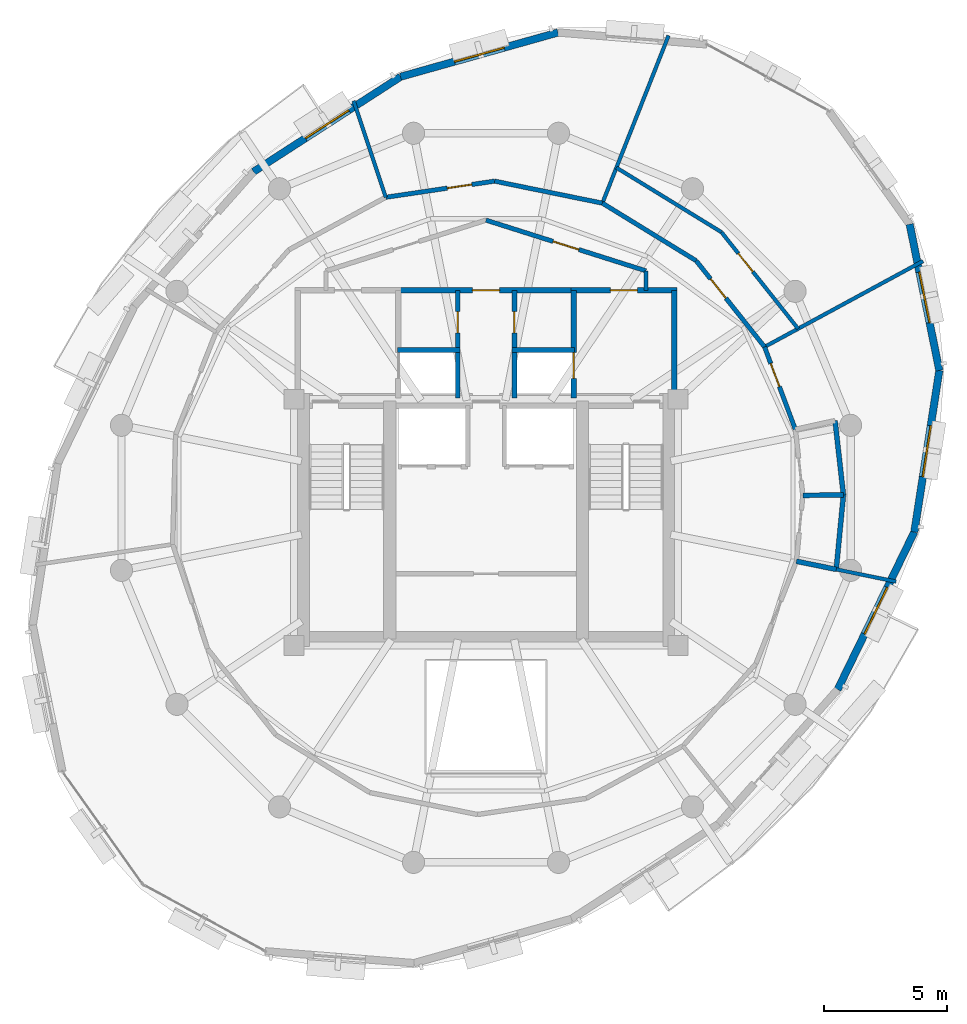
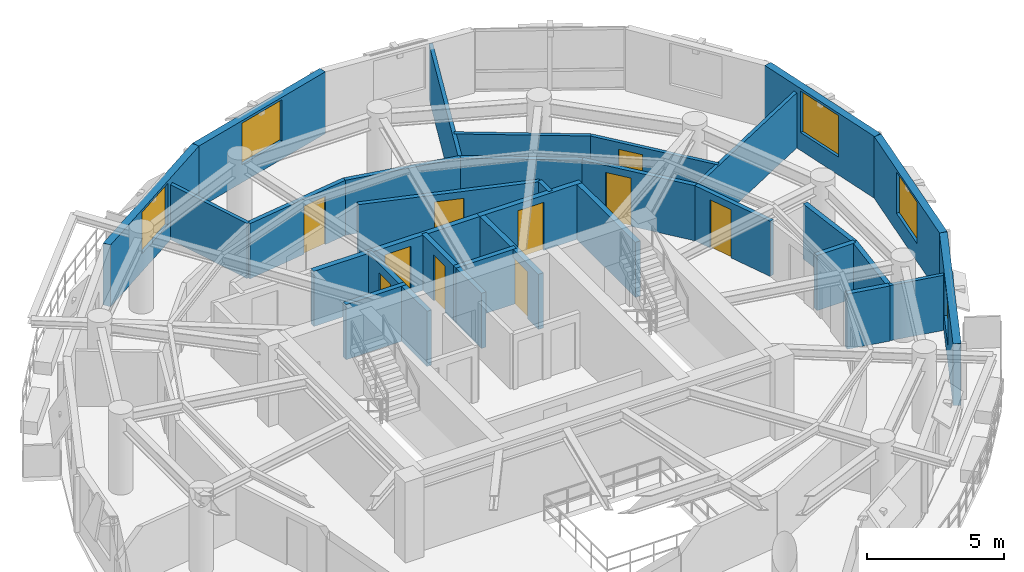
# One storey, part 8 of 11: 30 walls, 10 doors, 5 windows, 15 openings.
"""IFC4 building model written with IfcOpenShell, lengths in metres."""

from ifc_helpers import new_model, si_unit, direction, frame, frame_2d, origin, place, context, subcontext, project, spatial, rectangle, extrude, material, layer, layer_set, type_object, element, fill, save


model = new_model("IFC4")

# Units and contexts
model_context = context("Model", 3, precision=1e-05, world=origin(), true_north=direction((0.0, 1.0)))
body_context = subcontext(model_context, "Body", "Model", "MODEL_VIEW")
ifc_project = project(units=[si_unit("LENGTHUNIT", "METRE"), si_unit("AREAUNIT", "SQUARE_METRE"), si_unit("VOLUMEUNIT", "CUBIC_METRE"), si_unit("PLANEANGLEUNIT", "RADIAN"), si_unit("MASSUNIT", "GRAM", prefix="KILO"), si_unit("THERMODYNAMICTEMPERATUREUNIT", "KELVIN"), si_unit("POWERUNIT", "WATT")], contexts=[model_context])

# Site, building, storey
site_placement = place(None, origin())
site = spatial("IfcSite", under=ifc_project, at=site_placement, CompositionType="ELEMENT")
building_placement = place(site_placement, origin())
building = spatial("IfcBuilding", under=site, at=building_placement, Name="Ocrelia Relay Tower", CompositionType="ELEMENT")
storey_placement = place(building_placement, frame((0.0, 0.0, 234.0)))
storey = spatial("IfcBuildingStorey", under=building, at=storey_placement, Name="L57", CompositionType="ELEMENT", Elevation=234.0)

# Wall
ifc_material_1 = material(Name="Gypsum Fireboard Partition EI60", Category="gypsum")
ifc_layer_1 = layer(ifc_material_1, 0.179931640625, Name="Gypsum Fireboard Partition EI60")
ifc_layer_set_1 = layer_set([ifc_layer_1], Name="Gypsum Fireboard Partition EI60")
wall_type_1 = type_object("IfcWallType", Name="W-CORR-EI60-180", PredefinedType="PARTITIONING", material=ifc_layer_set_1)
wall_1_placement = place(storey_placement, frame((40.5, 35.218994140625, 0.0), z_axis=(0.0, 0.0, 1.0), x_axis=(0.0, -1.0, 0.0)))
element("IfcWall", 1, at=wall_1_placement, inside=storey, type_object=wall_type_1, Name="L57 Smoke Lobby East Return", PredefinedType="PARTITIONING", context=body_context, shape_type="SweptSolid", body=[
    extrude(rectangle(XDim=0.7890625, YDim=0.179931640625, at=frame_2d((0.39453125, 0.0))), origin(), (0.0, 0.0, 1.0), 2.4599609375),
])

# Wall, opening, door
wall_2_placement = place(storey_placement, frame((34.0, 37.280029296875, 0.0), z_axis=(0.0, 0.0, 1.0), x_axis=(0.953228121756, -0.302251795518, 0.0)))
wall_2 = element("IfcWall", 2, at=wall_2_placement, inside=storey, type_object=wall_type_1, Name="L57 North Smoke Lobby E Screen Wall", PredefinedType="PARTITIONING", context=body_context, shape_type="SweptSolid", body=[
    extrude(rectangle(XDim=6.81884765625, YDim=0.179931640625, at=frame_2d((3.409423828125, 0.0))), origin(), (0.0, 0.0, 1.0), 2.4599609375),
])
opening_1_placement = place(wall_2_placement, frame((2.859619140625, 0.0, 0.0)))
opening_1 = element("IfcOpeningElement", 3, at=opening_1_placement, cuts=wall_2, Name="Opening D-FD60", PredefinedType="OPENING", context=body_context, shape_type="SweptSolid", body=[
    extrude(rectangle(XDim=1.10009765625, YDim=2.14990234375, at=frame_2d((0.550048828125, 1.074951171875))), frame((0.0, 0.10009765625, 0.0), z_axis=(0.0, -1.0, 0.0), x_axis=(1.0, 0.0, 0.0)), (0.0, 0.0, 1.0), 0.199951171875),
])
ifc_material_2 = material(Name="Timber-core 60-min acoustic fire door", Category="wood")
door_type_1 = type_object("IfcDoorType", Name="DR-LOBBY-FD60-1100", OperationType="NOTDEFINED", PredefinedType="DOOR", material=ifc_material_2)
door_1_placement = place(opening_1_placement, origin())
door_1 = element("IfcDoor", 4, at=door_1_placement, inside=storey, type_object=door_type_1, Name="L57 North Smoke Lobby E Fire Door", OperationType="SINGLE_SWING_LEFT", OverallHeight=2.14990234375, OverallWidth=1.10009765625, PredefinedType="DOOR", context=body_context, shape_type="SweptSolid", body=[
    extrude(rectangle(XDim=1.10009765625, YDim=2.14990234375, at=frame_2d((0.550048828125, 1.074951171875))), frame((0.0, 0.02490234375, 0.0), z_axis=(0.0, -1.0, 0.0), x_axis=(1.0, 0.0, 0.0)), (0.0, 0.0, 1.0), 0.050048828125),
])
fill(opening_1, door_1)

wall_3_placement = place(storey_placement, frame((46.5673828125, 28.774658203125, 0.0), z_axis=(0.0, 0.0, 1.0), x_axis=(-0.349419971737, 0.936966212492, 0.0)))
wall_3 = element("IfcWall", 5, at=wall_3_placement, inside=storey, type_object=wall_type_1, Name="L57 Executive Telecom Office A Corridor Partition 1", PredefinedType="PARTITIONING", context=body_context, shape_type="SweptSolid", body=[
    extrude(rectangle(XDim=3.582275390625, YDim=0.179931640625, at=frame_2d((1.791015625, 0.0))), origin(), (0.0, 0.0, 1.0), 2.4599609375),
])
opening_2_placement = place(wall_3_placement, frame((1.86181640625, 0.0, 0.0)))
opening_2 = element("IfcOpeningElement", 6, at=opening_2_placement, cuts=wall_3, Name="Opening D-RM100", PredefinedType="OPENING", context=body_context, shape_type="SweptSolid", body=[
    extrude(rectangle(XDim=1.0, YDim=2.14990234375, at=frame_2d((0.5, 1.074951171875))), frame((0.0, 0.10009765625, 0.0), z_axis=(0.0, -1.0, 0.0), x_axis=(1.0, 0.0, 0.0)), (0.0, 0.0, 1.0), 0.199951171875),
])
ifc_material_3 = material(Name="Acoustic oak veneer fire door", Category="wood")
door_type_2 = type_object("IfcDoorType", Name="DR-ROOM-FD60-1000", OperationType="NOTDEFINED", PredefinedType="DOOR", material=ifc_material_3)
door_2_placement = place(opening_2_placement, origin())
door_2 = element("IfcDoor", 7, at=door_2_placement, inside=storey, type_object=door_type_2, Name="L57 Executive Telecom Office A Entrance Door", OperationType="SINGLE_SWING_RIGHT", OverallHeight=2.14990234375, OverallWidth=1.0, PredefinedType="DOOR", context=body_context, shape_type="SweptSolid", body=[
    extrude(rectangle(XDim=1.0, YDim=2.14990234375, at=frame_2d((0.5, 1.074951171875))), frame((0.0, 0.02490234375, 0.0), z_axis=(0.0, -1.0, 0.0), x_axis=(1.0, 0.0, 0.0)), (0.0, 0.0, 1.0), 0.050048828125),
])
fill(opening_2, door_2)

wall_4_placement = place(storey_placement, frame((45.315673828125, 32.131103515625, 0.0), z_axis=(0.0, 0.0, 1.0), x_axis=(-0.621813175889, 0.783165611024, 0.0)))
wall_4 = element("IfcWall", 8, at=wall_4_placement, inside=storey, type_object=wall_type_1, Name="L57 Counsel Office B Corridor Partition 1", PredefinedType="PARTITIONING", context=body_context, shape_type="SweptSolid", body=[
    extrude(rectangle(XDim=4.4697265625, YDim=0.179931640625, at=frame_2d((2.23486328125, 0.0))), origin(), (0.0, 0.0, 1.0), 2.4599609375),
])
opening_3_placement = place(wall_4_placement, frame((2.527099609375, 0.0, 0.0)))
opening_3 = element("IfcOpeningElement", 9, at=opening_3_placement, cuts=wall_4, Name="Opening D-RM100", PredefinedType="OPENING", context=body_context, shape_type="SweptSolid", body=[
    extrude(rectangle(XDim=1.0, YDim=2.14990234375, at=frame_2d((0.5, 1.074951171875))), frame((0.0, 0.10009765625, 0.0), z_axis=(0.0, -1.0, 0.0), x_axis=(1.0, 0.0, 0.0)), (0.0, 0.0, 1.0), 0.199951171875),
])
door_3_placement = place(opening_3_placement, origin())
door_3 = element("IfcDoor", 10, at=door_3_placement, inside=storey, type_object=door_type_2, Name="L57 Counsel Office B Entrance Door", OperationType="SINGLE_SWING_LEFT", OverallHeight=2.14990234375, OverallWidth=1.0, PredefinedType="DOOR", context=body_context, shape_type="SweptSolid", body=[
    extrude(rectangle(XDim=1.0, YDim=2.14990234375, at=frame_2d((0.5, 1.074951171875))), frame((0.0, 0.02490234375, 0.0), z_axis=(0.0, -1.0, 0.0), x_axis=(1.0, 0.0, 0.0)), (0.0, 0.0, 1.0), 0.050048828125),
])
fill(opening_3, door_3)

# Walls
for number, where, z_axis, x_axis, name in (
    (11, (42.536376953125, 35.631591796875, 0.0), (0.0, 0.0, 1.0), (-0.852175498572, 0.523256074626, 0.0), "L57 Counsel Office B Corridor Partition 2"),
    (12, (38.727294921875, 37.970458984375, 0.0), (0.0, 0.0, 1.0), (-0.979757075519, 0.200190092088, 0.0), "L57 Finance Office C Corridor Partition 1"),
):
    element("IfcWall", number, at=place(storey_placement, frame(where, z_axis=z_axis, x_axis=x_axis)), inside=storey, type_object=wall_type_1, Name=name, PredefinedType="PARTITIONING", context=body_context, shape_type="SweptSolid", body=[
        extrude(rectangle(XDim=4.4697265625, YDim=0.179931640625, at=frame_2d((2.23486328125, 0.0))), origin(), (0.0, 0.0, 1.0), 2.4599609375),
    ])

# Wall, opening, door
wall_5_placement = place(storey_placement, frame((34.34814453125, 38.865234375, 0.0), z_axis=(0.0, 0.0, 1.0), x_axis=(-0.989146493134, -0.146932689079, 0.0)))
wall_5 = element("IfcWall", 13, at=wall_5_placement, inside=storey, type_object=wall_type_1, Name="L57 Finance Office C Corridor Partition 2", PredefinedType="PARTITIONING", context=body_context, shape_type="SweptSolid", body=[
    extrude(rectangle(XDim=4.4697265625, YDim=0.179931640625, at=frame_2d((2.23486328125, 0.0))), origin(), (0.0, 0.0, 1.0), 2.4599609375),
])
opening_4_placement = place(wall_5_placement, frame((0.9423828125, 0.0, 0.0)))
opening_4 = element("IfcOpeningElement", 14, at=opening_4_placement, cuts=wall_5, Name="Opening D-RM100", PredefinedType="OPENING", context=body_context, shape_type="SweptSolid", body=[
    extrude(rectangle(XDim=1.0, YDim=2.14990234375, at=frame_2d((0.5, 1.074951171875))), frame((0.0, 0.10009765625, 0.0), z_axis=(0.0, -1.0, 0.0), x_axis=(1.0, 0.0, 0.0)), (0.0, 0.0, 1.0), 0.199951171875),
])
door_4_placement = place(opening_4_placement, origin())
door_4 = element("IfcDoor", 15, at=door_4_placement, inside=storey, type_object=door_type_2, Name="L57 Finance Office C Entrance Door", OperationType="SINGLE_SWING_LEFT", OverallHeight=2.14990234375, OverallWidth=1.0, PredefinedType="DOOR", context=body_context, shape_type="SweptSolid", body=[
    extrude(rectangle(XDim=1.0, YDim=2.14990234375, at=frame_2d((0.5, 1.074951171875))), frame((0.0, 0.02490234375, 0.0), z_axis=(0.0, -1.0, 0.0), x_axis=(1.0, 0.0, 0.0)), (0.0, 0.0, 1.0), 0.050048828125),
])
fill(opening_4, door_4)

# Wall, opening, window
ifc_material_4 = material(Name="Precast concrete C40/50 with oxide terracotta", Category="masonry")
ifc_layer_2 = layer(ifc_material_4, 0.300048828125, Name="Precast concrete C40/50 with oxide terracotta")
ifc_layer_set_2 = layer_set([ifc_layer_2], Name="Precast concrete C40/50 with oxide terracotta")
wall_type_2 = type_object("IfcWallType", Name="W-EXT-TERR-300", PredefinedType="SOLIDWALL", material=ifc_layer_set_2)
wall_6_placement = place(storey_placement, frame((36.92529296875, 44.9033203125, 0.0), z_axis=(0.0, 0.0, 1.0), x_axis=(-0.962704799022, -0.270554005589, 0.0)))
wall_6 = element("IfcWall", 16, at=wall_6_placement, inside=storey, type_object=wall_type_2, Name="L57 Oxide Terracotta Facade Wall 03", PredefinedType="SOLIDWALL", context=body_context, shape_type="SweptSolid", body=[
    extrude(rectangle(XDim=6.643310546875, YDim=0.300048828125, at=frame_2d((3.32177734375, 0.0))), origin(), (0.0, 0.0, 1.0), 2.760009765625),
])
opening_5_placement = place(wall_6_placement, frame((2.27197265625, 0.0, 0.800048828125)))
opening_5 = element("IfcOpeningElement", 17, at=opening_5_placement, cuts=wall_6, Name="Opening W-07", PredefinedType="OPENING", context=body_context, shape_type="SweptSolid", body=[
    extrude(rectangle(XDim=2.10009765625, YDim=1.85009765625, at=frame_2d((1.050048828125, 0.925048828125))), frame((0.0, 0.16015625, 0.0), z_axis=(0.0, -1.0, 0.0), x_axis=(1.0, 0.0, 0.0)), (0.0, 0.0, 1.0), 0.320068359375),
])
ifc_material_5 = material(Name="Clear double-glazed low-E glass", Category="glass")
window_type = type_object("IfcWindowType", Name="WIN-Z4-2100x2200", PartitioningType="DOUBLE_PANEL_VERTICAL", PredefinedType="WINDOW", material=ifc_material_5)
window_1_placement = place(opening_5_placement, origin())
window_1 = element("IfcWindow", 18, at=window_1_placement, inside=storey, type_object=window_type, Name="L57 Facade Module Window 03", OverallHeight=1.85009765625, OverallWidth=2.10009765625, PartitioningType="SINGLE_PANEL", PredefinedType="WINDOW", context=body_context, shape_type="SweptSolid", body=[
    extrude(rectangle(XDim=2.10009765625, YDim=1.85009765625, at=frame_2d((1.050048828125, 0.925048828125))), frame((0.0, 0.030029296875, 0.0), z_axis=(0.0, -1.0, 0.0), x_axis=(1.0, 0.0, 0.0)), (0.0, 0.0, 1.0), 0.06005859375),
])
fill(opening_5, window_1)

wall_7_placement = place(storey_placement, frame((30.52978515625, 43.10595703125, 0.0), z_axis=(0.0, 0.0, 1.0), x_axis=(-0.840018200764, -0.542558220272, 0.0)))
wall_7 = element("IfcWall", 19, at=wall_7_placement, inside=storey, type_object=wall_type_2, Name="L57 Oxide Terracotta Facade Wall 04", PredefinedType="SOLIDWALL", context=body_context, shape_type="SweptSolid", body=[
    extrude(rectangle(XDim=7.114990234375, YDim=0.300048828125, at=frame_2d((3.5576171875, 0.0))), origin(), (0.0, 0.0, 1.0), 2.760009765625),
])
opening_6_placement = place(wall_7_placement, frame((2.508056640625, 0.0, 0.800048828125)))
opening_6 = element("IfcOpeningElement", 20, at=opening_6_placement, cuts=wall_7, Name="Opening W-07", PredefinedType="OPENING", context=body_context, shape_type="SweptSolid", body=[
    extrude(rectangle(XDim=2.10009765625, YDim=1.85009765625, at=frame_2d((1.050048828125, 0.925048828125))), frame((0.0, 0.16015625, 0.0), z_axis=(0.0, -1.0, 0.0), x_axis=(1.0, 0.0, 0.0)), (0.0, 0.0, 1.0), 0.320068359375),
])
window_2_placement = place(opening_6_placement, origin())
window_2 = element("IfcWindow", 21, at=window_2_placement, inside=storey, type_object=window_type, Name="L57 Facade Module Window 04", OverallHeight=1.85009765625, OverallWidth=2.10009765625, PartitioningType="SINGLE_PANEL", PredefinedType="WINDOW", context=body_context, shape_type="SweptSolid", body=[
    extrude(rectangle(XDim=2.10009765625, YDim=1.85009765625, at=frame_2d((1.050048828125, 0.925048828125))), frame((0.0, 0.030029296875, 0.0), z_axis=(0.0, -1.0, 0.0), x_axis=(1.0, 0.0, 0.0)), (0.0, 0.0, 1.0), 0.06005859375),
])
fill(opening_6, window_2)

wall_8_placement = place(storey_placement, frame((48.284423828125, 18.212646484375, 0.0), z_axis=(0.0, 0.0, 1.0), x_axis=(0.437731914834, 0.899105539264, 0.0)))
wall_8 = element("IfcWall", 22, at=wall_8_placement, inside=storey, type_object=wall_type_2, Name="L57 Oxide Terracotta Facade Wall 15", PredefinedType="SOLIDWALL", context=body_context, shape_type="SweptSolid", body=[
    extrude(rectangle(XDim=7.114990234375, YDim=0.300048828125, at=frame_2d((3.5576171875, 0.0))), origin(), (0.0, 0.0, 1.0), 2.760009765625),
])
opening_7_placement = place(wall_8_placement, frame((2.508056640625, 0.0, 0.800048828125)))
opening_7 = element("IfcOpeningElement", 23, at=opening_7_placement, cuts=wall_8, Name="Opening W-07", PredefinedType="OPENING", context=body_context, shape_type="SweptSolid", body=[
    extrude(rectangle(XDim=2.10009765625, YDim=1.85009765625, at=frame_2d((1.050048828125, 0.925048828125))), frame((0.0, 0.16015625, 0.0), z_axis=(0.0, -1.0, 0.0), x_axis=(1.0, 0.0, 0.0)), (0.0, 0.0, 1.0), 0.320068359375),
])
window_3_placement = place(opening_7_placement, origin())
window_3 = element("IfcWindow", 24, at=window_3_placement, inside=storey, type_object=window_type, Name="L57 Facade Module Window 15", OverallHeight=1.85009765625, OverallWidth=2.10009765625, PartitioningType="SINGLE_PANEL", PredefinedType="WINDOW", context=body_context, shape_type="SweptSolid", body=[
    extrude(rectangle(XDim=2.10009765625, YDim=1.85009765625, at=frame_2d((1.050048828125, 0.925048828125))), frame((0.0, 0.030029296875, 0.0), z_axis=(0.0, -1.0, 0.0), x_axis=(1.0, 0.0, 0.0)), (0.0, 0.0, 1.0), 0.06005859375),
])
fill(opening_7, window_3)

wall_9_placement = place(storey_placement, frame((51.39892578125, 24.60986328125, 0.0), z_axis=(0.0, 0.0, 1.0), x_axis=(0.15291596783, 0.988239195126, 0.0)))
wall_9 = element("IfcWall", 25, at=wall_9_placement, inside=storey, type_object=wall_type_2, Name="L57 Oxide Terracotta Facade Wall 16", PredefinedType="SOLIDWALL", context=body_context, shape_type="SweptSolid", body=[
    extrude(rectangle(XDim=6.643310546875, YDim=0.300048828125, at=frame_2d((3.32177734375, 0.0))), origin(), (0.0, 0.0, 1.0), 2.760009765625),
])
opening_8_placement = place(wall_9_placement, frame((2.27197265625, 0.0, 0.800048828125)))
opening_8 = element("IfcOpeningElement", 26, at=opening_8_placement, cuts=wall_9, Name="Opening W-07", PredefinedType="OPENING", context=body_context, shape_type="SweptSolid", body=[
    extrude(rectangle(XDim=2.10009765625, YDim=1.85009765625, at=frame_2d((1.050048828125, 0.925048828125))), frame((0.0, 0.16015625, 0.0), z_axis=(0.0, -1.0, 0.0), x_axis=(1.0, 0.0, 0.0)), (0.0, 0.0, 1.0), 0.320068359375),
])
window_4_placement = place(opening_8_placement, origin())
window_4 = element("IfcWindow", 27, at=window_4_placement, inside=storey, type_object=window_type, Name="L57 Facade Module Window 16", OverallHeight=1.85009765625, OverallWidth=2.10009765625, PartitioningType="SINGLE_PANEL", PredefinedType="WINDOW", context=body_context, shape_type="SweptSolid", body=[
    extrude(rectangle(XDim=2.10009765625, YDim=1.85009765625, at=frame_2d((1.050048828125, 0.925048828125))), frame((0.0, 0.030029296875, 0.0), z_axis=(0.0, -1.0, 0.0), x_axis=(1.0, 0.0, 0.0)), (0.0, 0.0, 1.0), 0.06005859375),
])
fill(opening_8, window_4)

wall_10_placement = place(storey_placement, frame((52.414794921875, 31.175048828125, 0.0), z_axis=(0.0, 0.0, 1.0), x_axis=(-0.198803056685, 0.980039460763, 0.0)))
wall_10 = element("IfcWall", 28, at=wall_10_placement, inside=storey, type_object=wall_type_2, Name="L57 Oxide Terracotta Facade Wall 17", PredefinedType="SOLIDWALL", context=body_context, shape_type="SweptSolid", body=[
    extrude(rectangle(XDim=6.061767578125, YDim=0.300048828125, at=frame_2d((3.03076171875, 0.0))), origin(), (0.0, 0.0, 1.0), 2.760009765625),
])
opening_9_placement = place(wall_10_placement, frame((1.98095703125, 0.0, 0.800048828125)))
opening_9 = element("IfcOpeningElement", 29, at=opening_9_placement, cuts=wall_10, Name="Opening W-07", PredefinedType="OPENING", context=body_context, shape_type="SweptSolid", body=[
    extrude(rectangle(XDim=2.10009765625, YDim=1.85009765625, at=frame_2d((1.050048828125, 0.925048828125))), frame((0.0, 0.16015625, 0.0), z_axis=(0.0, -1.0, 0.0), x_axis=(1.0, 0.0, 0.0)), (0.0, 0.0, 1.0), 0.320068359375),
])
window_5_placement = place(opening_9_placement, origin())
window_5 = element("IfcWindow", 30, at=window_5_placement, inside=storey, type_object=window_type, Name="L57 Facade Module Window 17", OverallHeight=1.85009765625, OverallWidth=2.10009765625, PartitioningType="SINGLE_PANEL", PredefinedType="WINDOW", context=body_context, shape_type="SweptSolid", body=[
    extrude(rectangle(XDim=2.10009765625, YDim=1.85009765625, at=frame_2d((1.050048828125, 0.925048828125))), frame((0.0, 0.030029296875, 0.0), z_axis=(0.0, -1.0, 0.0), x_axis=(1.0, 0.0, 0.0)), (0.0, 0.0, 1.0), 0.06005859375),
])
fill(opening_9, window_5)

# Wall, opening, door
ifc_material_6 = material(Name="Concrete C50/60", Category="concrete")
ifc_layer_3 = layer(ifc_material_6, 0.219970703125, Name="Concrete C50/60")
ifc_layer_set_3 = layer_set([ifc_layer_3], Name="Concrete C50/60")
wall_type_3 = type_object("IfcWallType", Name="W-FFL-EI120-220", PredefinedType="SOLIDWALL", material=ifc_layer_set_3)
wall_11_placement = place(storey_placement, frame((37.56005859375, 30.050048828125, 0.0), z_axis=(0.0, 0.0, 1.0), x_axis=(0.0, 1.0, 0.0)))
wall_11 = element("IfcWall", 31, at=wall_11_placement, inside=storey, type_object=wall_type_3, Name="L57 E Fire Service Lift Lobby West Wall", PredefinedType="SOLIDWALL", context=body_context, shape_type="SweptSolid", body=[
    extrude(rectangle(XDim=4.3798828125, YDim=0.219970703125, at=frame_2d((2.18994140625, 0.0))), origin(), (0.0, 0.0, 1.0), 2.4599609375),
])
opening_10_placement = place(wall_11_placement, frame((0.800048828125, 0.0, 0.0)))
opening_10 = element("IfcOpeningElement", 32, at=opening_10_placement, cuts=wall_11, Name="Opening LD-FFL2", PredefinedType="OPENING", context=body_context, shape_type="SweptSolid", body=[
    extrude(rectangle(XDim=1.050048828125, YDim=2.10009765625, at=frame_2d((0.52490234375, 1.050048828125))), frame((0.0, 0.1201171875, 0.0), z_axis=(0.0, -1.0, 0.0), x_axis=(1.0, 0.0, 0.0)), (0.0, 0.0, 1.0), 0.239990234375),
])
ifc_material_7 = material(Name="Brushed stainless steel S355 lift landing door", Category="steel")
door_type_3 = type_object("IfcDoorType", Name="DR-LIFT-LAND-1050", OperationType="DOUBLE_DOOR_SLIDING", PredefinedType="USERDEFINED", material=ifc_material_7)
door_5_placement = place(opening_10_placement, origin())
door_5 = element("IfcDoor", 33, at=door_5_placement, inside=storey, type_object=door_type_3, Name="L57 Firefighting Lift FFL2 Sliding Landing Door", ObjectType="LANDING DOOR", OperationType="DOUBLE_DOOR_SLIDING", OverallHeight=2.10009765625, OverallWidth=1.050048828125, PredefinedType="USERDEFINED", context=body_context, shape_type="SweptSolid", body=[
    extrude(rectangle(XDim=1.050048828125, YDim=2.10009765625, at=frame_2d((0.52490234375, 1.050048828125))), frame((0.0, 0.02490234375, 0.0), z_axis=(0.0, -1.0, 0.0), x_axis=(1.0, 0.0, 0.0)), (0.0, 0.0, 1.0), 0.050048828125),
])
fill(opening_10, door_5)

# Wall
wall_12_placement = place(storey_placement, frame((41.64990234375, 30.050048828125, 0.0), z_axis=(0.0, 0.0, 1.0), x_axis=(0.0, 1.0, 0.0)))
element("IfcWall", 34, at=wall_12_placement, inside=storey, type_object=wall_type_3, Name="L57 E Fire Service Lift Lobby East Wall", PredefinedType="SOLIDWALL", context=body_context, shape_type="SweptSolid", body=[
    extrude(rectangle(XDim=4.3798828125, YDim=0.219970703125, at=frame_2d((2.18994140625, 0.0))), origin(), (0.0, 0.0, 1.0), 2.4599609375),
])

# Wall, opening, door
wall_13_placement = place(storey_placement, frame((37.449951171875, 34.429931640625, 0.0), z_axis=(0.0, 0.0, 1.0), x_axis=(1.0, 0.0, 0.0)))
wall_13 = element("IfcWall", 35, at=wall_13_placement, inside=storey, type_object=wall_type_3, Name="L57 E Fire Service Lift Lobby North Wall", PredefinedType="SOLIDWALL", context=body_context, shape_type="SweptSolid", body=[
    extrude(rectangle(XDim=4.31005859375, YDim=0.219970703125, at=frame_2d((2.155029296875, 0.0))), origin(), (0.0, 0.0, 1.0), 2.4599609375),
])
opening_11_placement = place(wall_13_placement, frame((1.60009765625, 0.0, 0.0)))
opening_11 = element("IfcOpeningElement", 36, at=opening_11_placement, cuts=wall_13, Name="Opening D-FD60", PredefinedType="OPENING", context=body_context, shape_type="SweptSolid", body=[
    extrude(rectangle(XDim=1.10009765625, YDim=2.14990234375, at=frame_2d((0.550048828125, 1.074951171875))), frame((0.0, 0.1201171875, 0.0), z_axis=(0.0, -1.0, 0.0), x_axis=(1.0, 0.0, 0.0)), (0.0, 0.0, 1.0), 0.239990234375),
])
door_6_placement = place(opening_11_placement, origin())
door_6 = element("IfcDoor", 37, at=door_6_placement, inside=storey, type_object=door_type_1, Name="L57 E Fire Service Lift Lobby Exit Door", OperationType="SINGLE_SWING_RIGHT", OverallHeight=2.14990234375, OverallWidth=1.10009765625, PredefinedType="DOOR", context=body_context, shape_type="SweptSolid", body=[
    extrude(rectangle(XDim=1.10009765625, YDim=2.14990234375, at=frame_2d((0.550048828125, 1.074951171875))), frame((0.0, 0.02490234375, 0.0), z_axis=(0.0, -1.0, 0.0), x_axis=(1.0, 0.0, 0.0)), (0.0, 0.0, 1.0), 0.050048828125),
])
fill(opening_11, door_6)

wall_14_placement = place(storey_placement, frame((30.43994140625, 34.429931640625, 0.0), z_axis=(0.0, 0.0, 1.0), x_axis=(1.0, 0.0, 0.0)))
wall_14 = element("IfcWall", 38, at=wall_14_placement, inside=storey, type_object=wall_type_3, Name="L57 North Core Vestibule Wall", PredefinedType="SOLIDWALL", context=body_context, shape_type="SweptSolid", body=[
    extrude(rectangle(XDim=7.1201171875, YDim=0.219970703125, at=frame_2d((3.56005859375, 0.0))), origin(), (0.0, 0.0, 1.0), 2.4599609375),
])
opening_12_placement = place(wall_14_placement, frame((3.010009765625, 0.0, 0.0)))
opening_12 = element("IfcOpeningElement", 39, at=opening_12_placement, cuts=wall_14, Name="Opening D-FD60", PredefinedType="OPENING", context=body_context, shape_type="SweptSolid", body=[
    extrude(rectangle(XDim=1.10009765625, YDim=2.14990234375, at=frame_2d((0.550048828125, 1.074951171875))), frame((0.0, 0.1201171875, 0.0), z_axis=(0.0, -1.0, 0.0), x_axis=(1.0, 0.0, 0.0)), (0.0, 0.0, 1.0), 0.239990234375),
])
door_7_placement = place(opening_12_placement, origin())
door_7 = element("IfcDoor", 40, at=door_7_placement, inside=storey, type_object=door_type_1, Name="L57 North Core Vestibule Corridor Door", OperationType="SINGLE_SWING_RIGHT", OverallHeight=2.14990234375, OverallWidth=1.10009765625, PredefinedType="DOOR", context=body_context, shape_type="SweptSolid", body=[
    extrude(rectangle(XDim=1.10009765625, YDim=2.14990234375, at=frame_2d((0.550048828125, 1.074951171875))), frame((0.0, 0.02490234375, 0.0), z_axis=(0.0, -1.0, 0.0), x_axis=(1.0, 0.0, 0.0)), (0.0, 0.0, 1.0), 0.050048828125),
])
fill(opening_12, door_7)

# Walls
ifc_material_8 = material(Name="Acoustic Fireboard Partition EI60", Category="gypsum")
ifc_layer_4 = layer(ifc_material_8, 0.14990234375, Name="Acoustic Fireboard Partition EI60")
ifc_layer_set_4 = layer_set([ifc_layer_4], Name="Acoustic Fireboard Partition EI60")
wall_type_4 = type_object("IfcWallType", Name="W-PART-150", PredefinedType="PARTITIONING", material=ifc_layer_set_4)
wall_15_placement = place(storey_placement, frame((48.22607421875, 23.0927734375, 0.0), z_axis=(0.0, 0.0, 1.0), x_axis=(0.979742600156, -0.200260923396, 0.0)))
element("IfcWall", 41, at=wall_15_placement, inside=storey, type_object=wall_type_4, Name="L57 Executive Telecom Office A Radial Partition", PredefinedType="PARTITIONING", context=body_context, shape_type="SweptSolid", body=[
    extrude(rectangle(XDim=2.479736328125, YDim=0.14990234375, at=frame_2d((1.23974609375, 0.0))), origin(), (0.0, 0.0, 1.0), 2.4599609375),
])
for number, where, z_axis, x_axis, name in (
    (42, (45.315673828125, 32.131103515625, 0.0), (0.0, 0.0, 1.0), (0.879230834662, 0.476395990096, 0.0), "L57 Executive Telecom Office A Radial Partition"),
    (43, (38.727294921875, 37.970458984375, 0.0), (0.0, 0.0, 1.0), (0.367303252397, 0.93010124222, 0.0), "L57 Counsel Office B Radial Partition"),
):
    element("IfcWall", number, at=place(storey_placement, frame(where, z_axis=z_axis, x_axis=x_axis)), inside=storey, type_object=wall_type_4, Name=name, PredefinedType="PARTITIONING", context=body_context, shape_type="SweptSolid", body=[
        extrude(rectangle(XDim=7.318115234375, YDim=0.14990234375, at=frame_2d((3.6591796875, 0.0))), origin(), (0.0, 0.0, 1.0), 2.4599609375),
    ])

# Wall, opening, door
wall_16_placement = place(storey_placement, frame((46.678466796875, 32.86962890625, 0.0), z_axis=(0.0, 0.0, 1.0), x_axis=(-0.621831140241, 0.783151347459, 0.0)))
wall_16 = element("IfcWall", 44, at=wall_16_placement, inside=storey, type_object=wall_type_4, Name="L57 Perimeter Counsel Office B Mid-Ring Partition 1", PredefinedType="PARTITIONING", context=body_context, shape_type="SweptSolid", body=[
    extrude(rectangle(XDim=5.0078125, YDim=0.14990234375, at=frame_2d((2.50390625, 0.0))), origin(), (0.0, 0.0, 1.0), 2.4599609375),
])
opening_13_placement = place(wall_16_placement, frame((2.95361328125, 0.0, 0.0)))
opening_13 = element("IfcOpeningElement", 45, at=opening_13_placement, cuts=wall_16, Name="Opening D-RM95", PredefinedType="OPENING", context=body_context, shape_type="SweptSolid", body=[
    extrude(rectangle(XDim=0.949951171875, YDim=2.14990234375, at=frame_2d((0.47509765625, 1.074951171875))), frame((0.0, 0.0849609375, 0.0), z_axis=(0.0, -1.0, 0.0), x_axis=(1.0, 0.0, 0.0)), (0.0, 0.0, 1.0), 0.169921875),
])
door_type_4 = type_object("IfcDoorType", Name="DR-ROOM-950", OperationType="NOTDEFINED", PredefinedType="DOOR", material=ifc_material_3)
door_8_placement = place(opening_13_placement, origin())
door_8 = element("IfcDoor", 46, at=door_8_placement, inside=storey, type_object=door_type_4, Name="L57 Perimeter Counsel Office B Connecting Door", OperationType="SINGLE_SWING_RIGHT", OverallHeight=2.14990234375, OverallWidth=0.949951171875, PredefinedType="DOOR", context=body_context, shape_type="SweptSolid", body=[
    extrude(rectangle(XDim=0.949951171875, YDim=2.14990234375, at=frame_2d((0.47509765625, 1.074951171875))), frame((0.0, 0.02490234375, 0.0), z_axis=(0.0, -1.0, 0.0), x_axis=(1.0, 0.0, 0.0)), (0.0, 0.0, 1.0), 0.050048828125),
])
fill(opening_13, door_8)

# Walls
wall_17_placement = place(storey_placement, frame((43.564453125, 36.79150390625, 0.0), z_axis=(0.0, 0.0, 1.0), x_axis=(-0.852170081645, 0.523264896538, 0.0)))
element("IfcWall", 47, at=wall_17_placement, inside=storey, type_object=wall_type_4, Name="L57 Perimeter Counsel Office B Mid-Ring Partition 2", PredefinedType="PARTITIONING", context=body_context, shape_type="SweptSolid", body=[
    extrude(rectangle(XDim=5.00830078125, YDim=0.14990234375, at=frame_2d((2.504150390625, 0.0))), origin(), (0.0, 0.0, 1.0), 2.4599609375),
])
wall_18_placement = place(storey_placement, frame((29.927001953125, 38.20849609375, 0.0), z_axis=(0.0, 0.0, 1.0), x_axis=(-0.316458316632, 0.948606416716, 0.0)))
element("IfcWall", 48, at=wall_18_placement, inside=storey, type_object=wall_type_4, Name="L57 Finance Office C Radial Partition", PredefinedType="PARTITIONING", context=body_context, shape_type="SweptSolid", body=[
    extrude(rectangle(XDim=4.129638671875, YDim=0.14990234375, at=frame_2d((2.06494140625, 0.0))), origin(), (0.0, 0.0, 1.0), 2.4599609375),
])
ifc_material_9 = material(Name="Moisture-Resistant Fireboard Chase Wall EI60", Category="gypsum")
ifc_layer_5 = layer(ifc_material_9, 0.199951171875, Name="Moisture-Resistant Fireboard Chase Wall EI60")
ifc_layer_set_5 = layer_set([ifc_layer_5], Name="Moisture-Resistant Fireboard Chase Wall EI60")
wall_type_5 = type_object("IfcWallType", Name="W-PLUMB-200", PredefinedType="PLUMBINGWALL", material=ifc_layer_set_5)
wall_19_placement = place(storey_placement, frame((46.609375, 23.423095703125, 0.0), z_axis=(0.0, 0.0, 1.0), x_axis=(0.979758481416, -0.200183211319, 0.0)))
element("IfcWall", 49, at=wall_19_placement, inside=storey, type_object=wall_type_5, Name="L57 Staff Toilet Plumbing Radial Wall", PredefinedType="PLUMBINGWALL", context=body_context, shape_type="SweptSolid", body=[
    extrude(rectangle(XDim=1.650146484375, YDim=0.199951171875, at=frame_2d((0.8251953125, 0.0))), origin(), (0.0, 0.0, 1.0), 2.4599609375),
])
wall_20_placement = place(storey_placement, frame((46.86962890625, 26.10107421875, 0.0), z_axis=(0.0, 0.0, 1.0), x_axis=(0.999969248569, 0.0078423158, 0.0)))
element("IfcWall", 50, at=wall_20_placement, inside=storey, type_object=wall_type_5, Name="L57 Staff Toilet Plumbing Radial Wall", PredefinedType="PLUMBINGWALL", context=body_context, shape_type="SweptSolid", body=[
    extrude(rectangle(XDim=1.64990234375, YDim=0.199951171875, at=frame_2d((0.824951171875, 0.0))), origin(), (0.0, 0.0, 1.0), 2.4599609375),
])
wall_21_placement = place(storey_placement, frame((48.22607421875, 23.0927734375, 0.0), z_axis=(0.0, 0.0, 1.0), x_axis=(0.096676337661, 0.995315872342, 0.0)))
element("IfcWall", 51, at=wall_21_placement, inside=storey, type_object=wall_type_5, Name="L57 Staff Toilet Back Plumbing Wall", PredefinedType="PLUMBINGWALL", context=body_context, shape_type="SweptSolid", body=[
    extrude(rectangle(XDim=3.035400390625, YDim=0.199951171875, at=frame_2d((1.517578125, 0.0))), origin(), (0.0, 0.0, 1.0), 2.4599609375),
])
wall_22_placement = place(storey_placement, frame((48.51953125, 26.114013671875, 0.0), z_axis=(0.0, 0.0, 1.0), x_axis=(-0.112276255415, 0.993677031268, 0.0)))
element("IfcWall", 52, at=wall_22_placement, inside=storey, type_object=wall_type_5, Name="L57 Accessible Toilet Back Plumbing Wall", PredefinedType="PLUMBINGWALL", context=body_context, shape_type="SweptSolid", body=[
    extrude(rectangle(XDim=3.03564453125, YDim=0.199951171875, at=frame_2d((1.517822265625, 0.0))), origin(), (0.0, 0.0, 1.0), 2.4599609375),
])
ifc_layer_6 = layer(ifc_material_6, 0.199951171875, Name="Concrete C50/60")
ifc_layer_set_6 = layer_set([ifc_layer_6], Name="Concrete C50/60")
wall_type_6 = type_object("IfcWallType", Name="W-SHAFT-EI120-200", PredefinedType="SOLIDWALL", material=ifc_layer_set_6)
wall_23_placement = place(storey_placement, frame((30.39990234375, 32.0, 0.0), z_axis=(0.0, 0.0, 1.0), x_axis=(1.0, 0.0, 0.0)))
element("IfcWall", 53, at=wall_23_placement, inside=storey, type_object=wall_type_6, Name="L57 FFL1 Hoistway North Wall", PredefinedType="SOLIDWALL", context=body_context, shape_type="SweptSolid", body=[
    extrude(rectangle(XDim=2.550048828125, YDim=0.199951171875, at=frame_2d((1.27490234375, 0.0))), origin(), (0.0, 0.0, 1.0), 2.4599609375),
])

# Wall, opening, door
wall_24_placement = place(storey_placement, frame((32.85009765625, 30.050048828125, 0.0), z_axis=(0.0, 0.0, 1.0), x_axis=(0.0, 1.0, 0.0)))
wall_24 = element("IfcWall", 54, at=wall_24_placement, inside=storey, type_object=wall_type_6, Name="L57 FFL1 and Service Vestibule Wall", PredefinedType="SOLIDWALL", context=body_context, shape_type="SweptSolid", body=[
    extrude(rectangle(XDim=4.3798828125, YDim=0.199951171875, at=frame_2d((2.18994140625, 0.0))), origin(), (0.0, 0.0, 1.0), 2.4599609375),
])
opening_14_placement = place(wall_24_placement, frame((2.64990234375, 0.0, 0.0)))
opening_14 = element("IfcOpeningElement", 55, at=opening_14_placement, cuts=wall_24, Name="Opening D-RS86", PredefinedType="OPENING", context=body_context, shape_type="SweptSolid", body=[
    extrude(rectangle(XDim=0.860107421875, YDim=2.050048828125, at=frame_2d((0.43017578125, 1.02490234375))), frame((0.0, 0.10986328125, 0.0), z_axis=(0.0, -1.0, 0.0), x_axis=(1.0, 0.0, 0.0)), (0.0, 0.0, 1.0), 0.219970703125),
])
ifc_material_10 = material(Name="Steel S355 riser access fire door", Category="steel")
door_type_5 = type_object("IfcDoorType", Name="DR-RISER-TRAP-860", OperationType="NOTDEFINED", PredefinedType="TRAPDOOR", material=ifc_material_10)
door_9_placement = place(opening_14_placement, origin())
door_9 = element("IfcDoor", 56, at=door_9_placement, inside=storey, type_object=door_type_5, Name="L57 Core Support Room W Door", OperationType="SINGLE_SWING_LEFT", OverallHeight=2.050048828125, OverallWidth=0.860107421875, PredefinedType="TRAPDOOR", context=body_context, shape_type="SweptSolid", body=[
    extrude(rectangle(XDim=0.860107421875, YDim=2.050048828125, at=frame_2d((0.43017578125, 1.02490234375))), frame((0.0, 0.02490234375, 0.0), z_axis=(0.0, -1.0, 0.0), x_axis=(1.0, 0.0, 0.0)), (0.0, 0.0, 1.0), 0.050048828125),
])
fill(opening_14, door_9)

# Wall
wall_25_placement = place(storey_placement, frame((35.050048828125, 32.0, 0.0), z_axis=(0.0, 0.0, 1.0), x_axis=(1.0, 0.0, 0.0)))
element("IfcWall", 57, at=wall_25_placement, inside=storey, type_object=wall_type_6, Name="L57 FFL2 Hoistway North Wall", PredefinedType="SOLIDWALL", context=body_context, shape_type="SweptSolid", body=[
    extrude(rectangle(XDim=2.550048828125, YDim=0.199951171875, at=frame_2d((1.27490234375, 0.0))), origin(), (0.0, 0.0, 1.0), 2.4599609375),
])

# Wall, opening, door
wall_26_placement = place(storey_placement, frame((35.14990234375, 30.050048828125, 0.0), z_axis=(0.0, 0.0, 1.0), x_axis=(0.0, 1.0, 0.0)))
wall_26 = element("IfcWall", 58, at=wall_26_placement, inside=storey, type_object=wall_type_6, Name="L57 FFL2 and Service Vestibule Wall", PredefinedType="SOLIDWALL", context=body_context, shape_type="SweptSolid", body=[
    extrude(rectangle(XDim=4.3798828125, YDim=0.199951171875, at=frame_2d((2.18994140625, 0.0))), origin(), (0.0, 0.0, 1.0), 2.4599609375),
])
opening_15_placement = place(wall_26_placement, frame((2.64990234375, 0.0, 0.0)))
opening_15 = element("IfcOpeningElement", 59, at=opening_15_placement, cuts=wall_26, Name="Opening D-RS86", PredefinedType="OPENING", context=body_context, shape_type="SweptSolid", body=[
    extrude(rectangle(XDim=0.860107421875, YDim=2.050048828125, at=frame_2d((0.43017578125, 1.02490234375))), frame((0.0, 0.10986328125, 0.0), z_axis=(0.0, -1.0, 0.0), x_axis=(1.0, 0.0, 0.0)), (0.0, 0.0, 1.0), 0.219970703125),
])
door_10_placement = place(opening_15_placement, origin())
door_10 = element("IfcDoor", 60, at=door_10_placement, inside=storey, type_object=door_type_5, Name="L57 Core Support Room E Door", OperationType="SINGLE_SWING_LEFT", OverallHeight=2.050048828125, OverallWidth=0.860107421875, PredefinedType="TRAPDOOR", context=body_context, shape_type="SweptSolid", body=[
    extrude(rectangle(XDim=0.860107421875, YDim=2.050048828125, at=frame_2d((0.43017578125, 1.02490234375))), frame((0.0, 0.02490234375, 0.0), z_axis=(0.0, -1.0, 0.0), x_axis=(1.0, 0.0, 0.0)), (0.0, 0.0, 1.0), 0.050048828125),
])
fill(opening_15, door_10)

save(model, "model.ifc")
